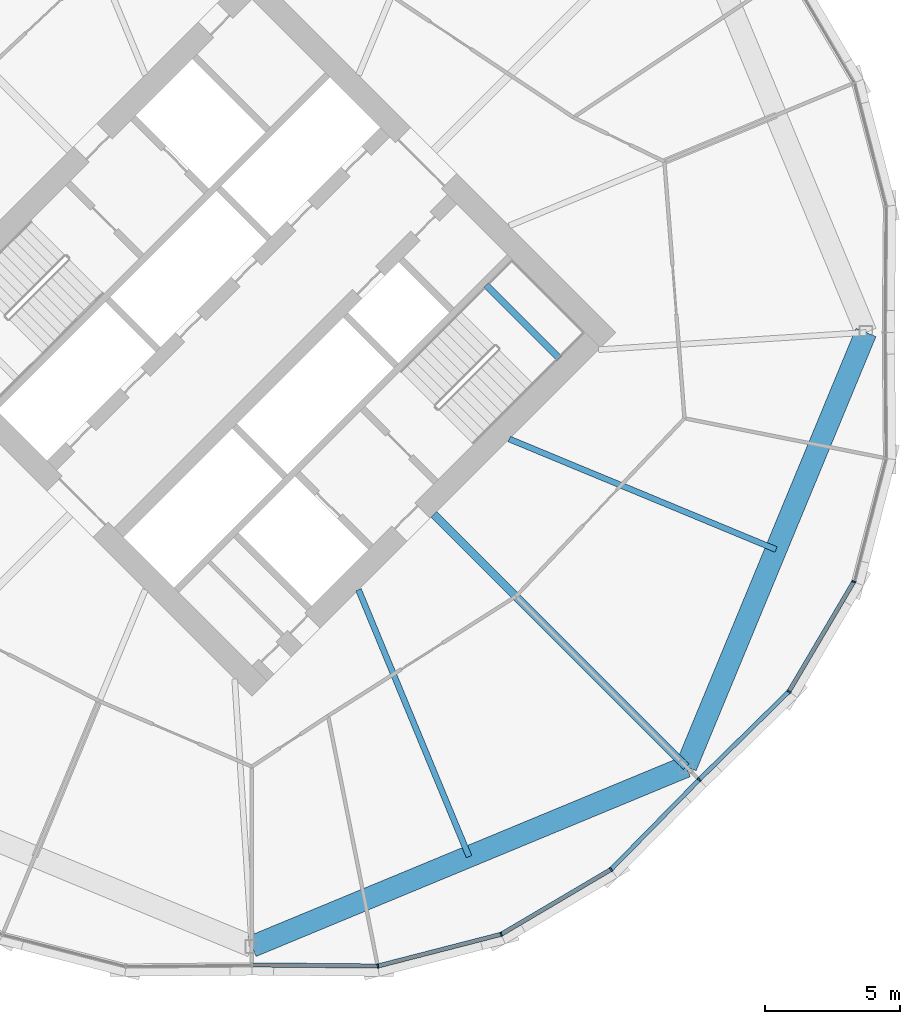
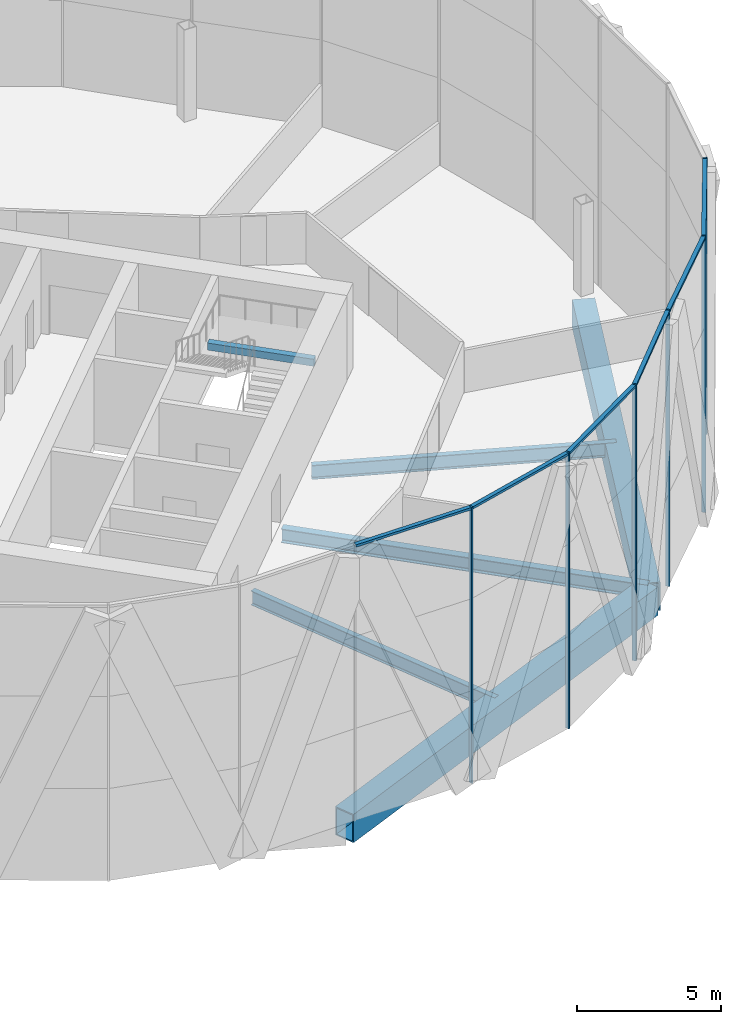
# One storey, part 12 of 26: 12 members, 6 beams, 2 elements without a shape of their own.
"""IFC4 building model written with IfcOpenShell, lengths in metres."""

from ifc_helpers import new_model, si_unit, direction, frame, origin, origin_2d, place, context, subcontext, project, spatial, rectangle, hollow_rectangle, i_section, extrude, material, material_profile, profile_set, type_object, element, aggregate, save


model = new_model("IFC4")

# Units and contexts
model_context = context("Model", 3, precision=1e-05, world=origin(), true_north=direction((0.0, 1.0)))
body_context = subcontext(model_context, "Body", "Model", "MODEL_VIEW")
ifc_project = project(units=[si_unit("LENGTHUNIT", "METRE"), si_unit("AREAUNIT", "SQUARE_METRE"), si_unit("VOLUMEUNIT", "CUBIC_METRE"), si_unit("PLANEANGLEUNIT", "RADIAN"), si_unit("MASSUNIT", "GRAM", prefix="KILO")], contexts=[model_context])

# Site, building, storey
site_placement = place(None, origin())
site = spatial("IfcSite", under=ifc_project, at=site_placement, CompositionType="ELEMENT")
building_placement = place(site_placement, origin())
building = spatial("IfcBuilding", under=site, at=building_placement, Name="Ogive Gate Towers", CompositionType="ELEMENT")
storey_placement = place(building_placement, frame((0.0, 0.0, 87.89990234375)))
storey = spatial("IfcBuildingStorey", under=building, at=storey_placement, Name="L20", CompositionType="ELEMENT", Elevation=87.89990234375)

# Beams
ifc_material_1 = material(Name="Steel SM460", Category="steel")
ifc_material_profile_1 = material_profile(ifc_material_1, hollow_rectangle(XDim=0.800048828125, YDim=1.199951171875, WallThickness=0.050048828125, at=origin_2d()), Name="BX 1200x800x50")
ifc_profile_set_1 = profile_set([ifc_material_profile_1], Name="Steel SM460")
beam_type_1 = type_object("IfcBeamType", Name="Edge girder BX 1200x800x50", PredefinedType="BEAM", material=ifc_profile_set_1)
for number, where, z_axis, x_axis, name in (
    (1, (36.0, -22.669921875, -0.89990234375), (0.923878777792, 0.382685254414, 0.0), (-0.382685254414, 0.923878777792, 0.0), "T2/L20/SBM018"),
    (2, (52.030029296875, -16.030029296875, -0.89990234375), (0.382685254414, 0.923878777792, 0.0), (-0.923878777792, 0.382685254414, 0.0), "T2/L20/SBM019"),
):
    element("IfcBeam", number, at=place(storey_placement, frame(where, z_axis=z_axis, x_axis=x_axis)), inside=storey, type_object=beam_type_1, Name=name, PredefinedType="BEAM", context=body_context, shape_type="SweptSolid", body=[
        extrude(hollow_rectangle(XDim=0.800048828125, YDim=1.199951171875, WallThickness=0.050048828125, at=origin_2d()), origin(), (0.0, 0.0, 1.0), 17.350830078125),
    ])
ifc_material_2 = material(Name="Concrete C40/50", Category="concrete")
ifc_material_profile_2 = material_profile(ifc_material_2, rectangle(XDim=0.25, YDim=0.300048828125, at=origin_2d()), Name="RC 250x300")
ifc_profile_set_2 = profile_set([ifc_material_profile_2], Name="Concrete C40/50")
beam_type_2 = type_object("IfcBeamType", Name="Landing bearer RC 250x300", PredefinedType="BEAM", material=ifc_profile_set_2)
beam_1_placement = place(storey_placement, frame((47.349609375, -0.9541015625, 1.60009765625), z_axis=(-0.707106781187, 0.707106781187, 0.0), x_axis=(-0.707106781187, -0.707106781187, 0.0)))
element("IfcBeam", 3, at=beam_1_placement, inside=storey, type_object=beam_type_2, Name="T2 L20 stair 2 landing bearer 1", PredefinedType="BEAM", context=body_context, shape_type="SweptSolid", body=[
    extrude(rectangle(XDim=0.25, YDim=0.300048828125, at=origin_2d()), origin(), (0.0, 0.0, 1.0), 3.824951171875),
])
ifc_material_3 = material(Name="Steel SM355", Category="steel")
ifc_material_profile_3 = material_profile(ifc_material_3, i_section(OverallWidth=0.300048828125, OverallDepth=0.590087890625, WebThickness=0.012939453125, FlangeThickness=0.02490234375, FilletRadius=0.027099609375, at=origin_2d()), Name="HE 600 A")
ifc_profile_set_3 = profile_set([ifc_material_profile_3], Name="Steel SM355")
beam_type_3 = type_object("IfcBeamType", Name="Radial floor beam HE 600 A", PredefinedType="BEAM", material=ifc_profile_set_3)
beam_2_placement = place(storey_placement, frame((42.717529296875, -6.717529296875, -0.594970703125), z_axis=(0.707106781187, -0.707106781187, 0.0), x_axis=(0.707106781187, 0.707106781187, 0.0)))
element("IfcBeam", 4, at=beam_2_placement, inside=storey, type_object=beam_type_3, Name="T2/L20/SBM005", PredefinedType="BEAM", context=body_context, shape_type="SweptSolid", body=[
    extrude(i_section(OverallWidth=0.300048828125, OverallDepth=0.590087890625, WebThickness=0.012939453125, FlangeThickness=0.02490234375, FilletRadius=0.027099609375, at=origin_2d()), origin(), (0.0, 0.0, 1.0), 13.169921875),
])
ifc_material_profile_4 = material_profile(ifc_material_3, i_section(OverallWidth=0.219970703125, OverallDepth=0.60009765625, WebThickness=0.011962890625, FlangeThickness=0.01904296875, FilletRadius=0.02392578125, at=origin_2d()), Name="IPE 600")
ifc_profile_set_4 = profile_set([ifc_material_profile_4], Name="Steel SM355")
beam_type_4 = type_object("IfcBeamType", Name="Radial floor beam IPE 600", PredefinedType="BEAM", material=ifc_profile_set_4)
for number, where, z_axis, x_axis, name in (
    (5, (39.93505859375, -9.5, -0.599853515625), (0.382686161148, -0.923878402208, 0.0), (0.923878402208, 0.382686161148, 0.0), "T2/L20/SBM004"),
    (6, (45.5, -3.93505859375, -0.599853515625), (0.923878402208, -0.382686161148, 0.0), (0.382686161148, 0.923878402208, 0.0), "T2/L20/SBM006"),
):
    element("IfcBeam", number, at=place(storey_placement, frame(where, z_axis=z_axis, x_axis=x_axis)), inside=storey, type_object=beam_type_4, Name=name, PredefinedType="BEAM", context=body_context, shape_type="SweptSolid", body=[
        extrude(i_section(OverallWidth=0.219970703125, OverallDepth=0.60009765625, WebThickness=0.011962890625, FlangeThickness=0.01904296875, FilletRadius=0.02392578125, at=origin_2d()), origin(), (0.0, 0.0, 1.0), 10.66162109375),
    ])

# Curtain wall, members
ifc_material_4 = material(Name="Pale metal aluminium", Category="aluminium")
curtain_wall_type = type_object("IfcCurtainWallType", Name="Tower unitised wall, low zone", PredefinedType="NOTDEFINED", material=ifc_material_4)
curtain_wall_1_placement = place(storey_placement, origin())
curtain_wall_1 = element("IfcCurtainWall", 7, at=curtain_wall_1_placement, inside=storey, type_object=curtain_wall_type, Name="CW1 T2 ECW07", PredefinedType="NOTDEFINED")
ifc_material_profile_5 = material_profile(ifc_material_4, rectangle(XDim=0.159912109375, YDim=0.06005859375, at=origin_2d()), Name="60 x 160 aluminium box")
ifc_profile_set_5 = profile_set([ifc_material_profile_5], Name="Pale metal aluminium")
member_type_1 = type_object("IfcMemberType", Name="Tower unitised wall, low zone mullion 60 x 160", PredefinedType="MULLION", material=ifc_profile_set_5)
member_1_placement = place(storey_placement, frame((40.647216796875, -23.3935546875, -0.2998046875), z_axis=(0.0, 0.0, 1.0), x_axis=(0.121037787217, -0.992647900348, 0.0)))
member_1 = element("IfcMember", 8, at=member_1_placement, type_object=member_type_1, Name="CW1 mullion", PredefinedType="MULLION", context=body_context, shape_type="SweptSolid", body=[
    extrude(rectangle(XDim=0.159912109375, YDim=0.06005859375, at=origin_2d()), origin(), (0.0, 0.0, 1.0), 11.699951171875),
])
member_2_placement = place(storey_placement, frame((45.203857421875, -22.22021484375, -0.2998046875), z_axis=(0.0, 0.0, 1.0), x_axis=(0.382683432365, -0.923879532511, 0.0)))
member_2 = element("IfcMember", 9, at=member_2_placement, type_object=member_type_1, Name="CW1 mullion", PredefinedType="MULLION", context=body_context, shape_type="SweptSolid", body=[
    extrude(rectangle(XDim=0.159912109375, YDim=0.06005859375, at=origin_2d()), origin(), (0.0, 0.0, 1.0), 11.699951171875),
])
member_3_placement = place(storey_placement, frame((49.255859375, -19.827880859375, -0.2998046875), z_axis=(0.0, 0.0, 1.0), x_axis=(0.616321421546, -0.787494701787, 0.0)))
member_3 = element("IfcMember", 10, at=member_3_placement, type_object=member_type_1, Name="CW1 mullion", PredefinedType="MULLION", context=body_context, shape_type="SweptSolid", body=[
    extrude(rectangle(XDim=0.159912109375, YDim=0.06005859375, at=origin_2d()), origin(), (0.0, 0.0, 1.0), 11.699951171875),
])
member_4_placement = place(storey_placement, frame((52.5107421875, -16.510986328125, -0.2998046875), z_axis=(0.0, 0.0, 1.0), x_axis=(0.713678477155, -0.700473433647, 0.0)))
member_4 = element("IfcMember", 11, at=member_4_placement, type_object=member_type_1, Name="CW1 mullion", PredefinedType="MULLION", context=body_context, shape_type="SweptSolid", body=[
    extrude(rectangle(XDim=0.159912109375, YDim=0.06005859375, at=origin_2d()), origin(), (0.0, 0.0, 1.0), 11.699951171875),
])

curtain_wall_2_placement = place(storey_placement, origin())
curtain_wall_2 = element("IfcCurtainWall", 12, at=curtain_wall_2_placement, inside=storey, type_object=curtain_wall_type, Name="CW1 T2 ECW08", PredefinedType="NOTDEFINED")
member_5_placement = place(storey_placement, frame((55.827880859375, -13.255859375, -0.2998046875), z_axis=(0.0, 0.0, 1.0), x_axis=(0.787494701787, -0.616321421546, 0.0)))
member_5 = element("IfcMember", 13, at=member_5_placement, type_object=member_type_1, Name="CW1 mullion", PredefinedType="MULLION", context=body_context, shape_type="SweptSolid", body=[
    extrude(rectangle(XDim=0.159912109375, YDim=0.06005859375, at=origin_2d()), origin(), (0.0, 0.0, 1.0), 11.699951171875),
])
member_6_placement = place(storey_placement, frame((58.22021484375, -9.203857421875, -0.2998046875), z_axis=(0.0, 0.0, 1.0), x_axis=(0.923879532511, -0.382683432365, 0.0)))
member_6 = element("IfcMember", 14, at=member_6_placement, type_object=member_type_1, Name="CW1 mullion", PredefinedType="MULLION", context=body_context, shape_type="SweptSolid", body=[
    extrude(rectangle(XDim=0.159912109375, YDim=0.06005859375, at=origin_2d()), origin(), (0.0, 0.0, 1.0), 11.699951171875),
])

# Member
ifc_material_profile_6 = material_profile(ifc_material_4, rectangle(XDim=0.159912109375, YDim=0.10009765625, at=origin_2d()), Name="100 x 160 aluminium box")
ifc_profile_set_6 = profile_set([ifc_material_profile_6], Name="Pale metal aluminium")
member_type_2 = type_object("IfcMemberType", Name="Tower unitised wall, low zone transom 100 x 160", PredefinedType="USERDEFINED", material=ifc_profile_set_6)
member_7_placement = place(storey_placement, frame((36.0302734375, -23.350341796875, 11.35009765625), z_axis=(0.999956669412, -0.009309097625, 0.0), x_axis=(0.009309097625, 0.999956669412, 0.0)))
member_7 = element("IfcMember", 15, at=member_7_placement, type_object=member_type_2, Name="CW1 transom", ObjectType="TRANSOM", PredefinedType="USERDEFINED", context=body_context, shape_type="SweptSolid", body=[
    extrude(rectangle(XDim=0.159912109375, YDim=0.10009765625, at=origin_2d()), origin(), (0.0, 0.0, 1.0), 4.589599609375),
])

member_8_placement = place(storey_placement, frame((40.673583984375, -23.38671875, 11.35009765625), z_axis=(0.968401345103, 0.249396942248, 0.0), x_axis=(-0.249396942248, 0.968401345103, 0.0)))
member_8 = element("IfcMember", 16, at=member_8_placement, type_object=member_type_2, Name="CW1 transom", ObjectType="TRANSOM", PredefinedType="USERDEFINED", context=body_context, shape_type="SweptSolid", body=[
    extrude(rectangle(XDim=0.159912109375, YDim=0.10009765625, at=origin_2d()), origin(), (0.0, 0.0, 1.0), 4.65087890625),
])

member_9_placement = place(storey_placement, frame((45.227294921875, -22.206298828125, 11.35009765625), z_axis=(0.861093687305, 0.508446321339, 0.0), x_axis=(-0.508446321339, 0.861093687305, 0.0)))
member_9 = element("IfcMember", 17, at=member_9_placement, type_object=member_type_2, Name="CW1 transom", ObjectType="TRANSOM", PredefinedType="USERDEFINED", context=body_context, shape_type="SweptSolid", body=[
    extrude(rectangle(XDim=0.159912109375, YDim=0.10009765625, at=origin_2d()), origin(), (0.0, 0.0, 1.0), 4.65087890625),
])

member_10_placement = place(storey_placement, frame((49.27490234375, -19.80810546875, 11.35009765625), z_axis=(0.700453165916, 0.713698369312, 0.0), x_axis=(-0.713698369312, 0.700453165916, 0.0)))
member_10 = element("IfcMember", 18, at=member_10_placement, type_object=member_type_2, Name="CW1 transom", ObjectType="TRANSOM", PredefinedType="USERDEFINED", context=body_context, shape_type="SweptSolid", body=[
    extrude(rectangle(XDim=0.159912109375, YDim=0.10009765625, at=origin_2d()), origin(), (0.0, 0.0, 1.0), 4.589599609375),
])

aggregate(curtain_wall_1, [member_1, member_7, member_2, member_8, member_3, member_9, member_4, member_10])

member_11_placement = place(storey_placement, frame((52.532470703125, -16.48974609375, 11.35009765625), z_axis=(0.713698369312, 0.700453165916, 0.0), x_axis=(-0.700453165916, 0.713698369312, 0.0)))
member_11 = element("IfcMember", 19, at=member_11_placement, type_object=member_type_2, Name="CW1 transom", ObjectType="TRANSOM", PredefinedType="USERDEFINED", context=body_context, shape_type="SweptSolid", body=[
    extrude(rectangle(XDim=0.159912109375, YDim=0.10009765625, at=origin_2d()), origin(), (0.0, 0.0, 1.0), 4.589599609375),
])

member_12_placement = place(storey_placement, frame((55.841552734375, -13.232177734375, 11.35009765625), z_axis=(0.508446321339, 0.861093687305, 0.0), x_axis=(-0.861093687305, 0.508446321339, 0.0)))
member_12 = element("IfcMember", 20, at=member_12_placement, type_object=member_type_2, Name="CW1 transom", ObjectType="TRANSOM", PredefinedType="USERDEFINED", context=body_context, shape_type="SweptSolid", body=[
    extrude(rectangle(XDim=0.159912109375, YDim=0.10009765625, at=origin_2d()), origin(), (0.0, 0.0, 1.0), 4.65087890625),
])

aggregate(curtain_wall_2, [member_5, member_11, member_6, member_12])

save(model, "model.ifc")
